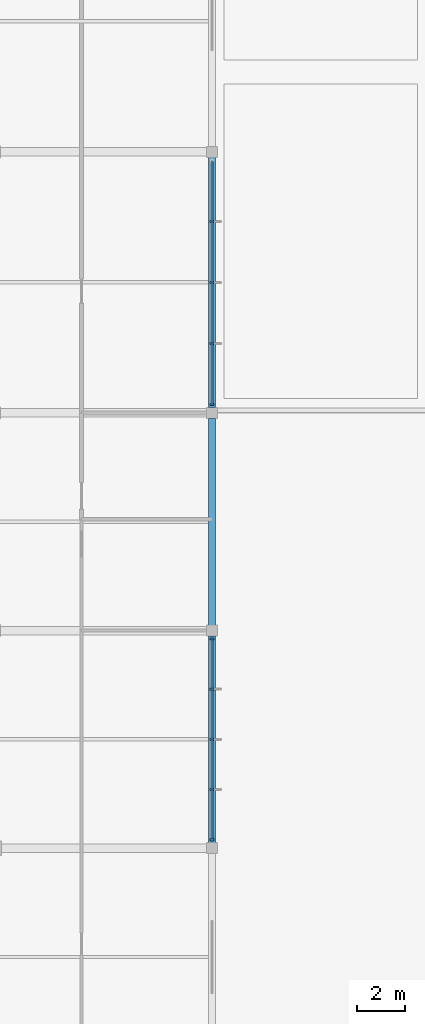
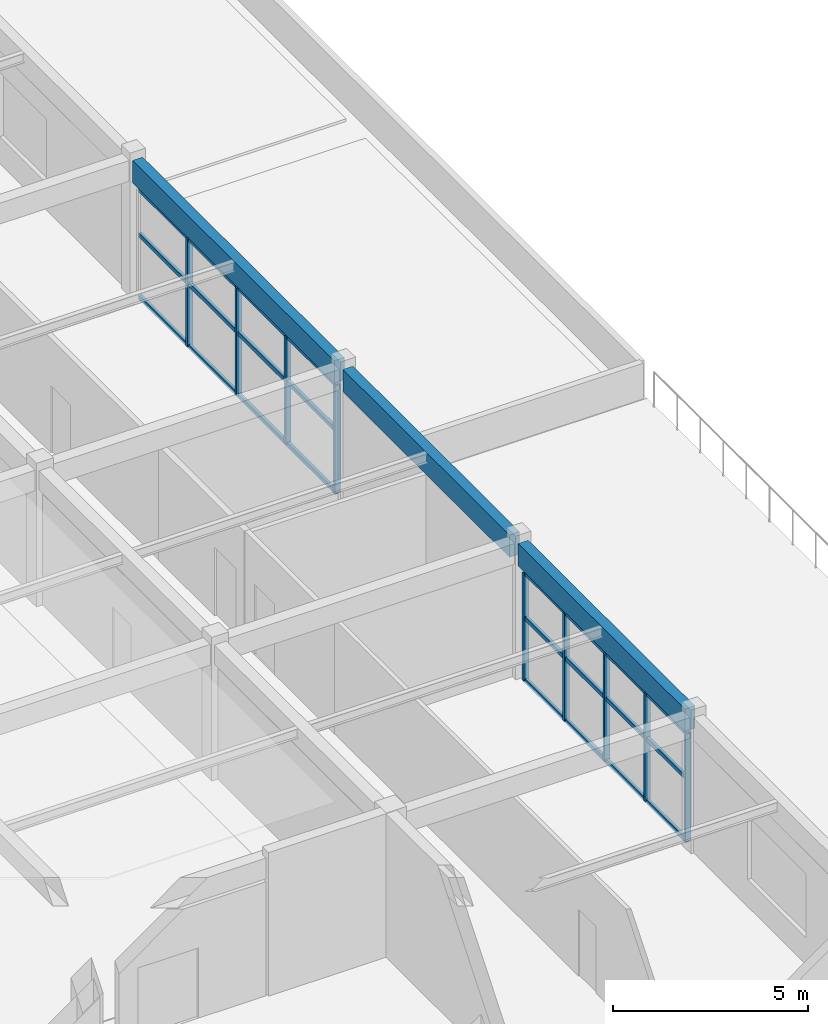
# One storey, part 27 of 89: 27 members, 3 beams, 2 elements without a shape of their own.
"""IFC4 building model written with IfcOpenShell, lengths in metres."""

import ifcopenshell
import ifcopenshell.guid

model = None  # the IFC model being written
_history = None  # IfcOwnerHistory: only IFC2X3 demands one
_inside = {}  # id of a spatial element -> (the spatial element, [elements in it])
_under = {}  # id of a project, library or spatial element -> (it, [spatial elements below it])
_declared = {}  # id of a project -> (the project, [libraries it declares])
_typed = {}  # id of a type object -> (the type object, [elements of that type])
_made_of = {}  # id of a material, layer set ... -> (it, [elements and type objects made of it])


def new_model(schema):
    """Start an empty IFC model of exactly this schema.

    Asked for "IFC4X3", IfcOpenShell would pick the latest addendum, in which some entities
    have other attributes; the version numbers below select the first issue.
    IFC2X3 requires an IfcOwnerHistory on every rooted entity: one is made here for all.
    """
    global model, _history
    if schema == "IFC4X3":
        model = ifcopenshell.file(schema_version=(4, 3, 0, 0))
    else:
        model = ifcopenshell.file(schema=schema)
    _inside.clear()
    _under.clear()
    _declared.clear()
    _typed.clear()
    _made_of.clear()
    _history = None
    if model.schema == "IFC2X3":
        org = make("IfcOrganization", Name="unknown")
        user = make(
            "IfcPersonAndOrganization",
            ThePerson=make("IfcPerson", FamilyName="unknown"),
            TheOrganization=org,
        )
        app = make(
            "IfcApplication",
            ApplicationDeveloper=org,
            Version="unknown",
            ApplicationFullName="unknown",
            ApplicationIdentifier="unknown",
        )
        _history = make(
            "IfcOwnerHistory",
            OwningUser=user,
            OwningApplication=app,
            ChangeAction="ADDED",
            CreationDate=0,
        )
    return model


def make(cls, **values):
    """One entity of the class cls with the attributes given. An attribute that is None is left unset."""
    return model.create_entity(
        cls, **{name: value for name, value in values.items() if value is not None}
    )


def rooted(cls, **values):
    """An entity with a GlobalId (a new one), such as an element, a storey or a relation."""
    return make(cls, GlobalId=ifcopenshell.guid.new(), OwnerHistory=_history, **values)


def si_unit(unit_type, name, prefix=None):
    """IfcSIUnit, for example si_unit("LENGTHUNIT", "METRE", prefix="MILLI")."""
    return make("IfcSIUnit", UnitType=unit_type, Prefix=prefix, Name=name)


def assignment(units):
    """IfcUnitAssignment: the units of a project."""
    return None if units is None else make("IfcUnitAssignment", Units=units)


def point(xyz):
    """IfcCartesianPoint."""
    return None if xyz is None else make("IfcCartesianPoint", Coordinates=xyz)


def direction(xyz):
    """IfcDirection."""
    return None if xyz is None else make("IfcDirection", DirectionRatios=xyz)


def frame(location, z_axis=None, x_axis=None):
    """IfcAxis2Placement3D, a coordinate frame: its origin and axes. An axis left out is left unset."""
    return make(
        "IfcAxis2Placement3D",
        Location=point(location),
        Axis=direction(z_axis),
        RefDirection=direction(x_axis),
    )


def frame_2d(location, x_axis=None):
    """IfcAxis2Placement2D, a coordinate frame in the plane: its origin and x axis."""
    return make(
        "IfcAxis2Placement2D", Location=point(location), RefDirection=direction(x_axis)
    )


def origin():
    """The frame at (0, 0, 0) with its axes left unset."""
    return frame((0.0, 0.0, 0.0))


def origin_2d():
    """The frame at (0, 0) in the plane with its x axis left unset."""
    return frame_2d((0.0, 0.0))


def place(relative_to, where):
    """IfcLocalPlacement: puts the frame where relative to a parent placement (None: the world)."""
    return make(
        "IfcLocalPlacement", PlacementRelTo=relative_to, RelativePlacement=where
    )


def context(
    kind, dimensions, precision=None, world=None, true_north=None, identifier=None
):
    """IfcGeometricRepresentationContext, for example the 3D "Model" context."""
    return make(
        "IfcGeometricRepresentationContext",
        ContextIdentifier=identifier,
        ContextType=kind,
        CoordinateSpaceDimension=dimensions,
        Precision=precision,
        WorldCoordinateSystem=world,
        TrueNorth=true_north,
    )


def subcontext(parent, identifier, kind, view, scale=None):
    """IfcGeometricRepresentationSubContext, for example "Body" below "Model"."""
    return make(
        "IfcGeometricRepresentationSubContext",
        ContextIdentifier=identifier,
        ContextType=kind,
        ParentContext=parent,
        TargetScale=scale,
        TargetView=view,
    )


def project(units=None, contexts=None):
    """IfcProject with its units and contexts."""
    return rooted(
        "IfcProject",
        Name="project",
        RepresentationContexts=contexts,
        UnitsInContext=assignment(units),
    )


def spatial(cls, under=None, at=None, **own):
    """A site, building, storey or space (cls), placed at a placement, below another one or the project."""
    s = rooted(cls, ObjectPlacement=at, **own)
    if under is not None:
        _under.setdefault(under.id(), (under, []))[1].append(s)
    return s


def profile(cls, at=None, kind="AREA", **sizes):
    """A parametric profile (cls). Its sizes go by their IFC names, for example OverallWidth=200.0."""
    return make(cls, ProfileType=kind, Position=at, **sizes)


def rectangle(**sizes):
    """IfcRectangleProfileDef."""
    return profile("IfcRectangleProfileDef", **sizes)


def extrude(swept, where, along, depth):
    """IfcExtrudedAreaSolid: the profile swept, set in the frame where, extruded along a direction by depth."""
    return make(
        "IfcExtrudedAreaSolid",
        SweptArea=swept,
        Position=where,
        ExtrudedDirection=direction(along),
        Depth=depth,
    )


def shape(context_of_items, identifier, shape_type, items):
    """IfcShapeRepresentation: the items that make up one representation, for example the "Body"."""
    return make(
        "IfcShapeRepresentation",
        ContextOfItems=context_of_items,
        RepresentationIdentifier=identifier,
        RepresentationType=shape_type,
        Items=items,
    )


def material(Name=None, Category=None):
    """IfcMaterial."""
    return make("IfcMaterial", Name=Name, Category=Category)


def material_profile(
    of_material, cross_section, Name=None, Category=None, Priority=None
):
    """IfcMaterialProfile: a cross section and its material."""
    return make(
        "IfcMaterialProfile",
        Name=Name,
        Material=of_material,
        Profile=cross_section,
        Priority=Priority,
        Category=Category,
    )


def profile_set(profiles, Name=None, composite=None):
    """IfcMaterialProfileSet."""
    return make(
        "IfcMaterialProfileSet",
        Name=Name,
        MaterialProfiles=profiles,
        CompositeProfile=composite,
    )


def made_of(thing, what):
    """Note that an element or type object is made of a material, layer set ...; save() writes the relation."""
    if what is not None:
        _made_of.setdefault(what.id(), (what, []))[1].append(thing)
    return thing


def type_object(cls, material=None, **own):
    """A type object (cls), such as IfcWallType, which elements share."""
    return made_of(rooted(cls, **own), material)


def element(
    cls,
    number,
    at=None,
    inside=None,
    cuts=None,
    type_object=None,
    material=None,
    context=None,
    identifier="Body",
    shape_type=None,
    held_by="IfcProductDefinitionShape",
    body=None,
    shapes=None,
    **own,
):
    """One element of the class cls, such as IfcWall. Its Tag is "e" and its number.

    at: its placement. inside: the storey or other place that contains it. cuts: it is an
    opening in that element (IfcRelVoidsElement). A single representation is given by context,
    identifier, shape_type and body (its items); several are given by shapes. held_by: the class
    of the entity that holds the representations. save() writes the other relations.
    """
    e = rooted(cls, Tag="e%d" % number, ObjectPlacement=at, **own)
    if body is not None:
        shapes = [shape(context, identifier, shape_type, body)]
    if shapes is not None:
        e.Representation = make(held_by, Representations=shapes)
    if inside is not None:
        _inside.setdefault(inside.id(), (inside, []))[1].append(e)
    if cuts is not None:
        rooted(
            "IfcRelVoidsElement", RelatingBuildingElement=cuts, RelatedOpeningElement=e
        )
    if type_object is not None:
        _typed.setdefault(type_object.id(), (type_object, []))[1].append(e)
    return made_of(e, material)


def aggregate(whole, parts):
    """IfcRelAggregates: a whole, such as a stair, and the parts it consists of."""
    return rooted("IfcRelAggregates", RelatingObject=whole, RelatedObjects=parts)


def save(model, path):
    """Write the relations noted so far, then the file.

    IfcRelAggregates (storeys below a building ...), IfcRelContainedInSpatialStructure (elements
    in a storey), IfcRelDefinesByType, IfcRelAssociatesMaterial and IfcRelDeclares: one each for
    every whole, place, type object, material and project.
    """
    for whole, parts in _under.values():
        aggregate(whole, parts)
    for where, things in _inside.values():
        rooted(
            "IfcRelContainedInSpatialStructure",
            RelatedElements=things,
            RelatingStructure=where,
        )
    for kind, things in _typed.values():
        rooted("IfcRelDefinesByType", RelatedObjects=things, RelatingType=kind)
    for what, things in _made_of.values():
        rooted("IfcRelAssociatesMaterial", RelatedObjects=things, RelatingMaterial=what)
    for by, libraries in _declared.values():
        rooted("IfcRelDeclares", RelatingContext=by, RelatedDefinitions=libraries)
    model.write(path)


model = new_model("IFC4")

# Units and contexts
model_context = context("Model", 3, precision=1e-05, world=origin(), true_north=direction((0.0, 1.0)))
body_context = subcontext(model_context, "Body", "Model", "MODEL_VIEW")
ifc_project = project(units=[si_unit("LENGTHUNIT", "METRE"), si_unit("AREAUNIT", "SQUARE_METRE"), si_unit("VOLUMEUNIT", "CUBIC_METRE"), si_unit("PLANEANGLEUNIT", "RADIAN"), si_unit("MASSUNIT", "GRAM", prefix="KILO")], contexts=[model_context])

# Site, building, storey
site_placement = place(None, origin())
site = spatial("IfcSite", under=ifc_project, at=site_placement, CompositionType="ELEMENT")
building_placement = place(site_placement, origin())
building = spatial("IfcBuilding", under=site, at=building_placement, Name="Suirenkawa Promenade Aquatics Centre", CompositionType="ELEMENT")
storey_placement = place(building_placement, frame((0.0, 0.0, 9.60009765625)))
storey = spatial("IfcBuildingStorey", under=building, at=storey_placement, Name="L02", CompositionType="ELEMENT", Elevation=9.60009765625)

# Beams
ifc_material_1 = material(Name="Concrete M40", Category="concrete")
ifc_material_profile_1 = material_profile(ifc_material_1, rectangle(XDim=0.300048828125, YDim=0.699951171875, at=origin_2d()), Name="RC SPANDREL 300x700", Category="concrete")
ifc_profile_set_1 = profile_set([ifc_material_profile_1], Name="Concrete M40")
beam_type = type_object("IfcBeamType", Name="BT-SPANDREL-300x700", PredefinedType="SPANDREL", material=ifc_profile_set_1)
for number, where, z_axis, x_axis, name in (
    (1, (36.0, 68.618896484375, 3.889892578125), (0.0, 1.0, 0.0), (-1.0, 0.0, 0.0), "Floor beam SP-01 BM-0685"),
    (2, (36.0, 77.618896484375, 3.889892578125), (0.0, 1.0, 0.0), (-1.0, 0.0, 0.0), "Floor beam SP-01 BM-0686"),
):
    element("IfcBeam", number, at=place(storey_placement, frame(where, z_axis=z_axis, x_axis=x_axis)), inside=storey, type_object=beam_type, Name=name, PredefinedType="SPANDREL", context=body_context, shape_type="SweptSolid", body=[
        extrude(rectangle(XDim=0.300048828125, YDim=0.699951171875, at=origin_2d()), origin(), (0.0, 0.0, 1.0), 8.56201171875),
    ])
beam_placement = place(storey_placement, frame((36.0, 86.618896484375, 3.889892578125), z_axis=(0.0, 1.0, 0.0), x_axis=(-1.0, 0.0, 0.0)))
element("IfcBeam", 3, at=beam_placement, inside=storey, type_object=beam_type, Name="Floor beam SP-01 BM-0687", PredefinedType="SPANDREL", context=body_context, shape_type="SweptSolid", body=[
    extrude(rectangle(XDim=0.300048828125, YDim=0.699951171875, at=origin_2d()), origin(), (0.0, 0.0, 1.0), 10.362060546875),
])

# Curtain wall, members
ifc_material_2 = material(Name="Anodised aluminium 6063-T6", Category="aluminium")
curtain_wall_type_1 = type_object("IfcCurtainWallType", Name="CWAT-V5EL02-61", PredefinedType="NOTDEFINED", material=ifc_material_2)
curtain_wall_1_placement = place(storey_placement, origin())
curtain_wall_1 = element("IfcCurtainWall", 4, at=curtain_wall_1_placement, inside=storey, type_object=curtain_wall_type_1, Name="Curtain wall CWA-61 CW-124", PredefinedType="NOTDEFINED")
ifc_material_profile_2 = material_profile(ifc_material_2, rectangle(XDim=0.090087890625, YDim=0.159912109375, at=origin_2d()), Name="ALU MULL 90x160", Category="aluminium")
ifc_profile_set_2 = profile_set([ifc_material_profile_2], Name="Anodised aluminium 6063-T6")
member_type_1 = type_object("IfcMemberType", Name="CWM-160x90", PredefinedType="MULLION", material=ifc_profile_set_2)
member_1_placement = place(storey_placement, frame((36.0, 77.051025390625, 0.0), z_axis=(0.0, 0.0, 1.0), x_axis=(0.0, -1.0, 0.0)))
member_1 = element("IfcMember", 5, at=member_1_placement, type_object=member_type_1, Name="Mullion ML-03 CWM-02502", PredefinedType="MULLION", context=body_context, shape_type="SweptSolid", body=[
    extrude(rectangle(XDim=0.090087890625, YDim=0.159912109375, at=origin_2d()), origin(), (0.0, 0.0, 1.0), 3.369873046875),
])
member_2_placement = place(storey_placement, frame((36.0, 74.9755859375, 0.0), z_axis=(0.0, 0.0, 1.0), x_axis=(0.0, -1.0, 0.0)))
member_2 = element("IfcMember", 6, at=member_2_placement, type_object=member_type_1, Name="Mullion ML-03 CWM-02503", PredefinedType="MULLION", context=body_context, shape_type="SweptSolid", body=[
    extrude(rectangle(XDim=0.090087890625, YDim=0.159912109375, at=origin_2d()), origin(), (0.0, 0.0, 1.0), 3.369873046875),
])
member_3_placement = place(storey_placement, frame((36.0, 72.89990234375, 0.0), z_axis=(0.0, 0.0, 1.0), x_axis=(0.0, -1.0, 0.0)))
member_3 = element("IfcMember", 7, at=member_3_placement, type_object=member_type_1, Name="Mullion ML-03 CWM-02504", PredefinedType="MULLION", context=body_context, shape_type="SweptSolid", body=[
    extrude(rectangle(XDim=0.090087890625, YDim=0.159912109375, at=origin_2d()), origin(), (0.0, 0.0, 1.0), 3.369873046875),
])
member_4_placement = place(storey_placement, frame((36.0, 70.824462890625, 0.0), z_axis=(0.0, 0.0, 1.0), x_axis=(0.0, -1.0, 0.0)))
member_4 = element("IfcMember", 8, at=member_4_placement, type_object=member_type_1, Name="Mullion ML-03 CWM-02505", PredefinedType="MULLION", context=body_context, shape_type="SweptSolid", body=[
    extrude(rectangle(XDim=0.090087890625, YDim=0.159912109375, at=origin_2d()), origin(), (0.0, 0.0, 1.0), 3.369873046875),
])
member_5_placement = place(storey_placement, frame((36.0, 68.7490234375, 0.0), z_axis=(0.0, 0.0, 1.0), x_axis=(0.0, -1.0, 0.0)))
member_5 = element("IfcMember", 9, at=member_5_placement, type_object=member_type_1, Name="Mullion ML-03 CWM-02506", PredefinedType="MULLION", context=body_context, shape_type="SweptSolid", body=[
    extrude(rectangle(XDim=0.090087890625, YDim=0.159912109375, at=origin_2d()), origin(), (0.0, 0.0, 1.0), 3.369873046875),
])

curtain_wall_type_2 = type_object("IfcCurtainWallType", Name="CWAT-V5EL02-64", PredefinedType="NOTDEFINED", material=ifc_material_2)
curtain_wall_2_placement = place(storey_placement, origin())
curtain_wall_2 = element("IfcCurtainWall", 10, at=curtain_wall_2_placement, inside=storey, type_object=curtain_wall_type_2, Name="Curtain wall CWA-64 CW-127", PredefinedType="NOTDEFINED")
member_6_placement = place(storey_placement, frame((36.0, 94.325439453125, 0.0), z_axis=(0.0, 0.0, 1.0), x_axis=(0.0, -1.0, 0.0)))
member_6 = element("IfcMember", 11, at=member_6_placement, type_object=member_type_1, Name="Mullion ML-03 CWM-02569", PredefinedType="MULLION", context=body_context, shape_type="SweptSolid", body=[
    extrude(rectangle(XDim=0.090087890625, YDim=0.159912109375, at=origin_2d()), origin(), (0.0, 0.0, 1.0), 3.369873046875),
])
member_7_placement = place(storey_placement, frame((36.0, 91.800048828125, 0.0), z_axis=(0.0, 0.0, 1.0), x_axis=(0.0, -1.0, 0.0)))
member_7 = element("IfcMember", 12, at=member_7_placement, type_object=member_type_1, Name="Mullion ML-03 CWM-02570", PredefinedType="MULLION", context=body_context, shape_type="SweptSolid", body=[
    extrude(rectangle(XDim=0.090087890625, YDim=0.159912109375, at=origin_2d()), origin(), (0.0, 0.0, 1.0), 3.369873046875),
])
member_8_placement = place(storey_placement, frame((36.0, 89.2744140625, 0.0), z_axis=(0.0, 0.0, 1.0), x_axis=(0.0, -1.0, 0.0)))
member_8 = element("IfcMember", 13, at=member_8_placement, type_object=member_type_1, Name="Mullion ML-03 CWM-02571", PredefinedType="MULLION", context=body_context, shape_type="SweptSolid", body=[
    extrude(rectangle(XDim=0.090087890625, YDim=0.159912109375, at=origin_2d()), origin(), (0.0, 0.0, 1.0), 3.369873046875),
])
member_9_placement = place(storey_placement, frame((36.0, 86.7490234375, 0.0), z_axis=(0.0, 0.0, 1.0), x_axis=(0.0, -1.0, 0.0)))
member_9 = element("IfcMember", 14, at=member_9_placement, type_object=member_type_1, Name="Mullion ML-03 CWM-02572", PredefinedType="MULLION", context=body_context, shape_type="SweptSolid", body=[
    extrude(rectangle(XDim=0.090087890625, YDim=0.159912109375, at=origin_2d()), origin(), (0.0, 0.0, 1.0), 3.369873046875),
])

# Member
ifc_material_profile_3 = material_profile(ifc_material_2, rectangle(XDim=0.090087890625, YDim=0.1298828125, at=origin_2d()), Name="ALU TRAN 90x130", Category="aluminium")
ifc_profile_set_3 = profile_set([ifc_material_profile_3], Name="Anodised aluminium 6063-T6")
member_type_2 = type_object("IfcMemberType", Name="CWT-130x90", PredefinedType="USERDEFINED", material=ifc_profile_set_3)
member_10_placement = place(storey_placement, frame((36.0, 77.051025390625, 0.0), z_axis=(0.0, -1.0, 0.0), x_axis=(1.0, 0.0, 0.0)))
member_10 = element("IfcMember", 15, at=member_10_placement, type_object=member_type_2, Name="Transom TR-03 CWT-02507", ObjectType="TRANSOM", PredefinedType="USERDEFINED", context=body_context, shape_type="SweptSolid", body=[
    extrude(rectangle(XDim=0.090087890625, YDim=0.1298828125, at=origin_2d()), origin(), (0.0, 0.0, 1.0), 2.075439453125),
])

member_11_placement = place(storey_placement, frame((36.0, 74.9755859375, 0.0), z_axis=(0.0, -1.0, 0.0), x_axis=(1.0, 0.0, 0.0)))
member_11 = element("IfcMember", 16, at=member_11_placement, type_object=member_type_2, Name="Transom TR-03 CWT-02508", ObjectType="TRANSOM", PredefinedType="USERDEFINED", context=body_context, shape_type="SweptSolid", body=[
    extrude(rectangle(XDim=0.090087890625, YDim=0.1298828125, at=origin_2d()), origin(), (0.0, 0.0, 1.0), 2.07568359375),
])

member_12_placement = place(storey_placement, frame((36.0, 72.89990234375, 0.0), z_axis=(0.0, -1.0, 0.0), x_axis=(1.0, 0.0, 0.0)))
member_12 = element("IfcMember", 17, at=member_12_placement, type_object=member_type_2, Name="Transom TR-03 CWT-02509", ObjectType="TRANSOM", PredefinedType="USERDEFINED", context=body_context, shape_type="SweptSolid", body=[
    extrude(rectangle(XDim=0.090087890625, YDim=0.1298828125, at=origin_2d()), origin(), (0.0, 0.0, 1.0), 2.075439453125),
])

member_13_placement = place(storey_placement, frame((36.0, 70.824462890625, 0.0), z_axis=(0.0, -1.0, 0.0), x_axis=(1.0, 0.0, 0.0)))
member_13 = element("IfcMember", 18, at=member_13_placement, type_object=member_type_2, Name="Transom TR-03 CWT-02510", ObjectType="TRANSOM", PredefinedType="USERDEFINED", context=body_context, shape_type="SweptSolid", body=[
    extrude(rectangle(XDim=0.090087890625, YDim=0.1298828125, at=origin_2d()), origin(), (0.0, 0.0, 1.0), 2.075439453125),
])

member_14_placement = place(storey_placement, frame((36.0, 77.051025390625, 1.949951171875), z_axis=(0.0, -1.0, 0.0), x_axis=(1.0, 0.0, 0.0)))
member_14 = element("IfcMember", 19, at=member_14_placement, type_object=member_type_2, Name="Transom TR-03 CWT-02511", ObjectType="TRANSOM", PredefinedType="USERDEFINED", context=body_context, shape_type="SweptSolid", body=[
    extrude(rectangle(XDim=0.090087890625, YDim=0.1298828125, at=origin_2d()), origin(), (0.0, 0.0, 1.0), 2.075439453125),
])

member_15_placement = place(storey_placement, frame((36.0, 74.9755859375, 1.949951171875), z_axis=(0.0, -1.0, 0.0), x_axis=(1.0, 0.0, 0.0)))
member_15 = element("IfcMember", 20, at=member_15_placement, type_object=member_type_2, Name="Transom TR-03 CWT-02512", ObjectType="TRANSOM", PredefinedType="USERDEFINED", context=body_context, shape_type="SweptSolid", body=[
    extrude(rectangle(XDim=0.090087890625, YDim=0.1298828125, at=origin_2d()), origin(), (0.0, 0.0, 1.0), 2.07568359375),
])

member_16_placement = place(storey_placement, frame((36.0, 72.89990234375, 1.949951171875), z_axis=(0.0, -1.0, 0.0), x_axis=(1.0, 0.0, 0.0)))
member_16 = element("IfcMember", 21, at=member_16_placement, type_object=member_type_2, Name="Transom TR-03 CWT-02513", ObjectType="TRANSOM", PredefinedType="USERDEFINED", context=body_context, shape_type="SweptSolid", body=[
    extrude(rectangle(XDim=0.090087890625, YDim=0.1298828125, at=origin_2d()), origin(), (0.0, 0.0, 1.0), 2.075439453125),
])

member_17_placement = place(storey_placement, frame((36.0, 70.824462890625, 1.949951171875), z_axis=(0.0, -1.0, 0.0), x_axis=(1.0, 0.0, 0.0)))
member_17 = element("IfcMember", 22, at=member_17_placement, type_object=member_type_2, Name="Transom TR-03 CWT-02514", ObjectType="TRANSOM", PredefinedType="USERDEFINED", context=body_context, shape_type="SweptSolid", body=[
    extrude(rectangle(XDim=0.090087890625, YDim=0.1298828125, at=origin_2d()), origin(), (0.0, 0.0, 1.0), 2.075439453125),
])

member_18_placement = place(storey_placement, frame((36.0, 77.051025390625, 3.369873046875), z_axis=(0.0, -1.0, 0.0), x_axis=(1.0, 0.0, 0.0)))
member_18 = element("IfcMember", 23, at=member_18_placement, type_object=member_type_2, Name="Roofline transom TR-03 CWT-02515", ObjectType="TRANSOM", PredefinedType="USERDEFINED", context=body_context, shape_type="SweptSolid", body=[
    extrude(rectangle(XDim=0.090087890625, YDim=0.1298828125, at=origin_2d()), origin(), (0.0, 0.0, 1.0), 8.302001953125),
])

aggregate(curtain_wall_1, [member_1, member_2, member_3, member_4, member_5, member_10, member_11, member_12, member_13, member_14, member_15, member_16, member_17, member_18])

member_19_placement = place(storey_placement, frame((36.0, 96.85107421875, 0.0), z_axis=(0.0, -1.0, 0.0), x_axis=(1.0, 0.0, 0.0)))
member_19 = element("IfcMember", 24, at=member_19_placement, type_object=member_type_2, Name="Transom TR-03 CWT-02573", ObjectType="TRANSOM", PredefinedType="USERDEFINED", context=body_context, shape_type="SweptSolid", body=[
    extrude(rectangle(XDim=0.090087890625, YDim=0.1298828125, at=origin_2d()), origin(), (0.0, 0.0, 1.0), 2.525634765625),
])

member_20_placement = place(storey_placement, frame((36.0, 94.325439453125, 0.0), z_axis=(0.0, -1.0, 0.0), x_axis=(1.0, 0.0, 0.0)))
member_20 = element("IfcMember", 25, at=member_20_placement, type_object=member_type_2, Name="Transom TR-03 CWT-02574", ObjectType="TRANSOM", PredefinedType="USERDEFINED", context=body_context, shape_type="SweptSolid", body=[
    extrude(rectangle(XDim=0.090087890625, YDim=0.1298828125, at=origin_2d()), origin(), (0.0, 0.0, 1.0), 2.525390625),
])

member_21_placement = place(storey_placement, frame((36.0, 91.800048828125, 0.0), z_axis=(0.0, -1.0, 0.0), x_axis=(1.0, 0.0, 0.0)))
member_21 = element("IfcMember", 26, at=member_21_placement, type_object=member_type_2, Name="Transom TR-03 CWT-02575", ObjectType="TRANSOM", PredefinedType="USERDEFINED", context=body_context, shape_type="SweptSolid", body=[
    extrude(rectangle(XDim=0.090087890625, YDim=0.1298828125, at=origin_2d()), origin(), (0.0, 0.0, 1.0), 2.525634765625),
])

member_22_placement = place(storey_placement, frame((36.0, 89.2744140625, 0.0), z_axis=(0.0, -1.0, 0.0), x_axis=(1.0, 0.0, 0.0)))
member_22 = element("IfcMember", 27, at=member_22_placement, type_object=member_type_2, Name="Transom TR-03 CWT-02576", ObjectType="TRANSOM", PredefinedType="USERDEFINED", context=body_context, shape_type="SweptSolid", body=[
    extrude(rectangle(XDim=0.090087890625, YDim=0.1298828125, at=origin_2d()), origin(), (0.0, 0.0, 1.0), 2.525390625),
])

member_23_placement = place(storey_placement, frame((36.0, 96.85107421875, 1.949951171875), z_axis=(0.0, -1.0, 0.0), x_axis=(1.0, 0.0, 0.0)))
member_23 = element("IfcMember", 28, at=member_23_placement, type_object=member_type_2, Name="Transom TR-03 CWT-02577", ObjectType="TRANSOM", PredefinedType="USERDEFINED", context=body_context, shape_type="SweptSolid", body=[
    extrude(rectangle(XDim=0.090087890625, YDim=0.1298828125, at=origin_2d()), origin(), (0.0, 0.0, 1.0), 2.525634765625),
])

member_24_placement = place(storey_placement, frame((36.0, 94.325439453125, 1.949951171875), z_axis=(0.0, -1.0, 0.0), x_axis=(1.0, 0.0, 0.0)))
member_24 = element("IfcMember", 29, at=member_24_placement, type_object=member_type_2, Name="Transom TR-03 CWT-02578", ObjectType="TRANSOM", PredefinedType="USERDEFINED", context=body_context, shape_type="SweptSolid", body=[
    extrude(rectangle(XDim=0.090087890625, YDim=0.1298828125, at=origin_2d()), origin(), (0.0, 0.0, 1.0), 2.525390625),
])

member_25_placement = place(storey_placement, frame((36.0, 91.800048828125, 1.949951171875), z_axis=(0.0, -1.0, 0.0), x_axis=(1.0, 0.0, 0.0)))
member_25 = element("IfcMember", 30, at=member_25_placement, type_object=member_type_2, Name="Transom TR-03 CWT-02579", ObjectType="TRANSOM", PredefinedType="USERDEFINED", context=body_context, shape_type="SweptSolid", body=[
    extrude(rectangle(XDim=0.090087890625, YDim=0.1298828125, at=origin_2d()), origin(), (0.0, 0.0, 1.0), 2.525634765625),
])

member_26_placement = place(storey_placement, frame((36.0, 89.2744140625, 1.949951171875), z_axis=(0.0, -1.0, 0.0), x_axis=(1.0, 0.0, 0.0)))
member_26 = element("IfcMember", 31, at=member_26_placement, type_object=member_type_2, Name="Transom TR-03 CWT-02580", ObjectType="TRANSOM", PredefinedType="USERDEFINED", context=body_context, shape_type="SweptSolid", body=[
    extrude(rectangle(XDim=0.090087890625, YDim=0.1298828125, at=origin_2d()), origin(), (0.0, 0.0, 1.0), 2.525390625),
])

member_27_placement = place(storey_placement, frame((36.0, 96.85107421875, 3.369873046875), z_axis=(0.0, -1.0, 0.0), x_axis=(1.0, 0.0, 0.0)))
member_27 = element("IfcMember", 32, at=member_27_placement, type_object=member_type_2, Name="Roofline transom TR-03 CWT-02581", ObjectType="TRANSOM", PredefinedType="USERDEFINED", context=body_context, shape_type="SweptSolid", body=[
    extrude(rectangle(XDim=0.090087890625, YDim=0.1298828125, at=origin_2d()), origin(), (0.0, 0.0, 1.0), 10.10205078125),
])

aggregate(curtain_wall_2, [member_6, member_7, member_8, member_9, member_19, member_20, member_21, member_22, member_23, member_24, member_25, member_26, member_27])

save(model, "model.ifc")
